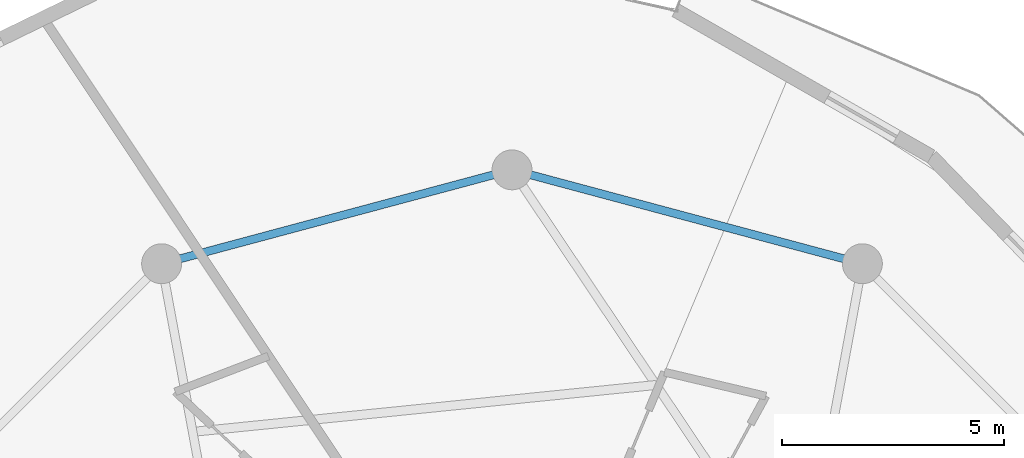
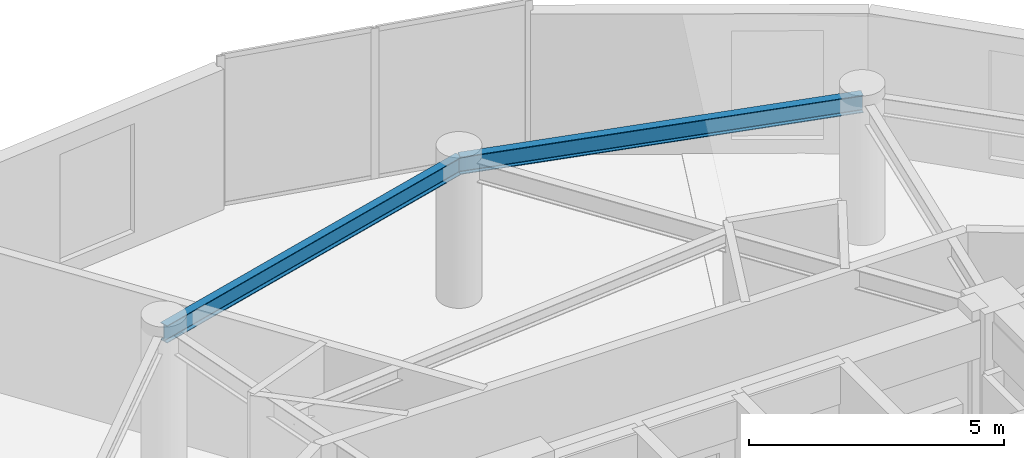
# One storey, part 15 of 23: 2 beams.
"""IFC4 building model written with IfcOpenShell, lengths in metres."""

from ifc_helpers import new_model, si_unit, direction, frame, origin, origin_2d, place, context, subcontext, project, spatial, i_section, extrude, material, material_profile, profile_set, type_object, element, save


model = new_model("IFC4")

# Units and contexts
model_context = context("Model", 3, precision=1e-05, world=origin(), true_north=direction((0.0, 1.0)))
body_context = subcontext(model_context, "Body", "Model", "MODEL_VIEW")
ifc_project = project(units=[si_unit("LENGTHUNIT", "METRE"), si_unit("AREAUNIT", "SQUARE_METRE"), si_unit("VOLUMEUNIT", "CUBIC_METRE"), si_unit("PLANEANGLEUNIT", "RADIAN"), si_unit("MASSUNIT", "GRAM", prefix="KILO")], contexts=[model_context])

# Site, building, storey
site_placement = place(None, origin())
site = spatial("IfcSite", under=ifc_project, at=site_placement, CompositionType="ELEMENT")
building_placement = place(site_placement, origin())
building = spatial("IfcBuilding", under=site, at=building_placement, Name="Solvirekh Grand Hotel", CompositionType="ELEMENT")
storey_placement = place(building_placement, frame((0.0, 0.0, 176.800048828125)))
storey = spatial("IfcBuildingStorey", under=building, at=storey_placement, Name="L45", CompositionType="ELEMENT", Elevation=176.800048828125)

# Beams
ifc_material = material(Name="Steel S355", Category="steel")
ifc_material_profile = material_profile(ifc_material, i_section(OverallWidth=0.180908203125, OverallDepth=0.4169921875, WebThickness=0.010009765625, FlangeThickness=0.01611328125, FilletRadius=0.011962890625, at=origin_2d()), Name="W410X85")
ifc_profile_set = profile_set([ifc_material_profile], Name="Steel S355")
beam_type = type_object("IfcBeamType", Name="Spandrel_Ring_W410", PredefinedType="SPANDREL", material=ifc_profile_set)
for number, where, z_axis, x_axis, name in (
    (1, (7.89990234375, 13.68310546875, 3.15185546875), (-0.965920601923, 0.258838541915, 0.0), (-0.258838541915, -0.965920601923, 0.0), "L45 perimeter spandrel beam 3"),
    (2, (0.0, 15.800048828125, 3.15185546875), (-0.965920601923, -0.258838541915, 0.0), (0.258838541915, -0.965920601923, 0.0), "L45 perimeter spandrel beam 4"),
):
    element("IfcBeam", number, at=place(storey_placement, frame(where, z_axis=z_axis, x_axis=x_axis)), inside=storey, type_object=beam_type, Name=name, PredefinedType="SPANDREL", context=body_context, shape_type="SweptSolid", body=[
        extrude(i_section(OverallWidth=0.180908203125, OverallDepth=0.4169921875, WebThickness=0.010009765625, FlangeThickness=0.01611328125, FilletRadius=0.011962890625, at=origin_2d()), origin(), (0.0, 0.0, 1.0), 8.1787109375),
    ])

save(model, "model.ifc")
